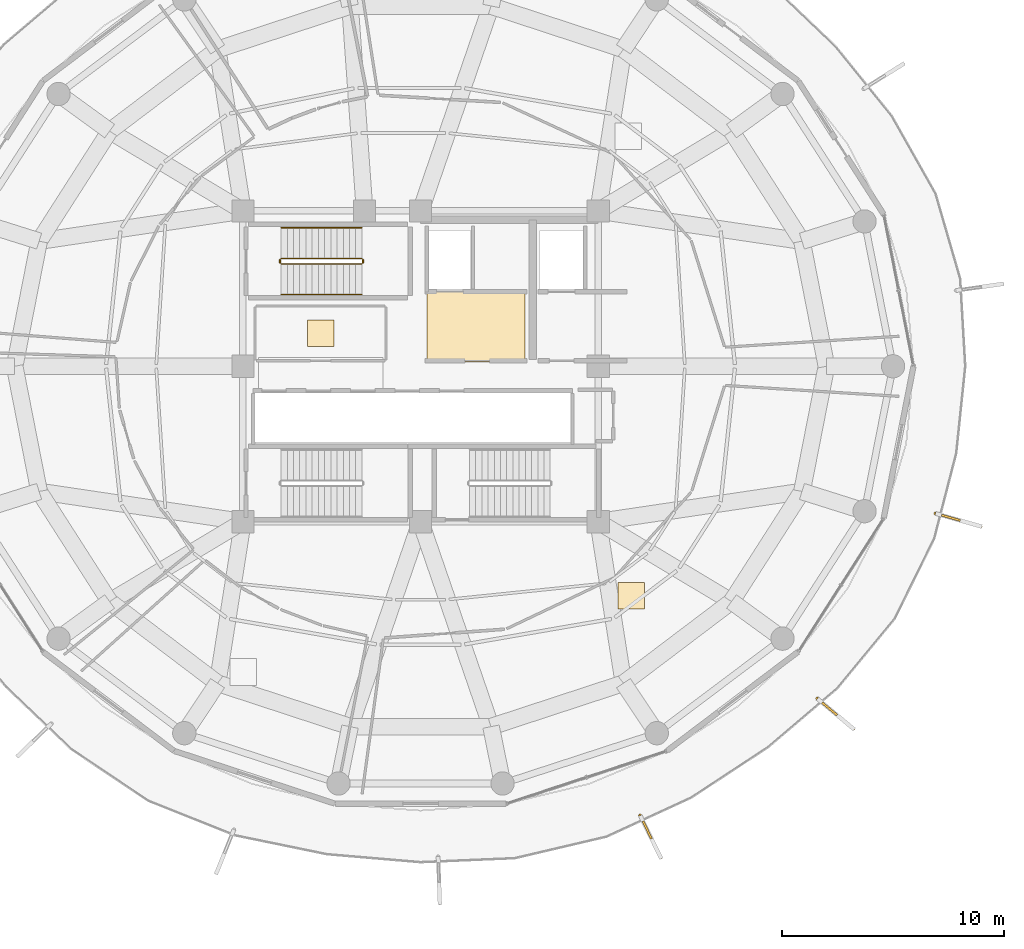
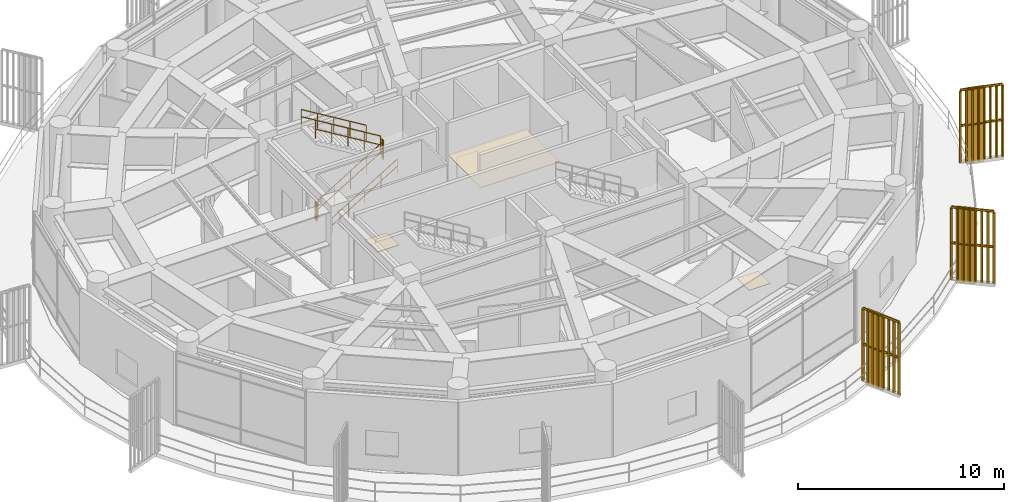
# One storey, part 28 of 29: 9 railings, 3 coverings, 3 shading devices.
"""IFC4 building model written with IfcOpenShell, lengths in metres."""

from ifc_helpers import new_model, si_unit, direction, frame, origin, origin_2d, place, context, subcontext, project, spatial, polyline, rectangle, outline, extrude, source, transform, mapped, material, layer, layer_set, type_object, element, save


model = new_model("IFC4")

# Units and contexts
model_context = context("Model", 3, precision=1e-05, world=origin(), true_north=direction((0.0, 1.0)))
body_context = subcontext(model_context, "Body", "Model", "MODEL_VIEW")
ifc_project = project(units=[si_unit("LENGTHUNIT", "METRE"), si_unit("AREAUNIT", "SQUARE_METRE"), si_unit("VOLUMEUNIT", "CUBIC_METRE"), si_unit("PLANEANGLEUNIT", "RADIAN"), si_unit("MASSUNIT", "GRAM", prefix="KILO")], contexts=[model_context])

# Site, building, storey
site_placement = place(None, origin())
site = spatial("IfcSite", under=ifc_project, at=site_placement, CompositionType="ELEMENT")
building_placement = place(site_placement, origin())
building = spatial("IfcBuilding", under=site, at=building_placement, Name="Kelanora Arch Commons", CompositionType="ELEMENT")
storey_placement = place(building_placement, frame((0.0, 0.0, 238.199951171875)))
storey = spatial("IfcBuildingStorey", under=building, at=storey_placement, Name="L61", CompositionType="ELEMENT", Elevation=238.199951171875)

# Railings
ifc_material_1 = material(Name="Anodised bronze vertical shading fin rib assembly")
railing_type_1 = type_object("IfcRailingType", Name="RAIL-FIN-BRZ", PredefinedType="BALUSTRADE", material=ifc_material_1)
railing_1_placement = place(storey_placement, frame((91.874267578125, 43.031494140625, -0.02001953125)))
element("IfcRailing", 1, at=railing_1_placement, inside=storey, type_object=railing_type_1, Name="Sweeping Bronze Vertical Fin Blade L61-00", PredefinedType="BALUSTRADE", context=body_context, shape_type="SweptSolid", body=[
    extrude(outline(polyline([(0.06982421875, 0.0), (0.034912109375, 0.060546875), (-0.034912109375, 0.060546875), (-0.06982421875, 0.0), (-0.034912109375, -0.060546875), (0.034912109375, -0.060546875), (0.06982421875, 0.0)])), frame((0.0, 0.0, 4.2900390625), z_axis=(0.766662217927, -0.642050655013, 0.0), x_axis=(0.642050655013, 0.766662217927, 0.0)), (0.0, 0.0, 1.0), 2.108154296875),
    extrude(outline(polyline([(0.06982421875, 0.0), (0.034912109375, 0.060546875), (-0.034912109375, 0.060546875), (-0.06982421875, 0.0), (-0.034912109375, -0.060546875), (0.034912109375, -0.060546875), (0.06982421875, 0.0)])), frame((0.0, 0.0, 2.18017578125), z_axis=(0.766662217927, -0.642050655013, 0.0), x_axis=(0.642050655013, 0.766662217927, 0.0)), (0.0, 0.0, 1.0), 2.108154296875),
    extrude(outline(polyline([(0.080078125, 0.0), (0.0400390625, 0.0693359375), (-0.0400390625, 0.0693359375), (-0.080078125, 0.0), (-0.0400390625, -0.0693359375), (0.0400390625, -0.0693359375), (0.080078125, 0.0)])), origin(), (0.0, 0.0, 1.0), 4.22021484375),
    extrude(outline(polyline([(0.080078125, 0.0), (0.0400390625, 0.0693359375), (-0.0400390625, 0.0693359375), (-0.080078125, 0.0), (-0.0400390625, -0.0693359375), (0.0400390625, -0.0693359375), (0.080078125, 0.0)])), frame((0.23095703125, -0.193359375, 0.0)), (0.0, 0.0, 1.0), 4.22021484375),
    extrude(outline(polyline([(0.080078125, 0.0), (0.0400390625, 0.0693359375), (-0.0400390625, 0.0693359375), (-0.080078125, 0.0), (-0.0400390625, -0.0693359375), (0.0400390625, -0.0693359375), (0.080078125, 0.0)])), frame((0.461669921875, -0.38671875, 0.0)), (0.0, 0.0, 1.0), 4.22021484375),
    extrude(outline(polyline([(0.080078125, 0.0), (0.0400390625, 0.0693359375), (-0.0400390625, 0.0693359375), (-0.080078125, 0.0), (-0.0400390625, -0.0693359375), (0.0400390625, -0.0693359375), (0.080078125, 0.0)])), frame((0.692626953125, -0.580078125, 0.0)), (0.0, 0.0, 1.0), 4.22021484375),
    extrude(outline(polyline([(0.080078125, 0.0), (0.0400390625, 0.0693359375), (-0.0400390625, 0.0693359375), (-0.080078125, 0.0), (-0.0400390625, -0.0693359375), (0.0400390625, -0.0693359375), (0.080078125, 0.0)])), frame((0.923583984375, -0.7734375, 0.0)), (0.0, 0.0, 1.0), 4.22021484375),
    extrude(outline(polyline([(0.080078125, 0.0), (0.0400390625, 0.0693359375), (-0.0400390625, 0.0693359375), (-0.080078125, 0.0), (-0.0400390625, -0.0693359375), (0.0400390625, -0.0693359375), (0.080078125, 0.0)])), frame((1.154541015625, -0.966796875, 0.0)), (0.0, 0.0, 1.0), 4.22021484375),
    extrude(outline(polyline([(0.080078125, 0.0), (0.0400390625, 0.0693359375), (-0.0400390625, 0.0693359375), (-0.080078125, 0.0), (-0.0400390625, -0.0693359375), (0.0400390625, -0.0693359375), (0.080078125, 0.0)])), frame((1.38525390625, -1.16015625, 0.0)), (0.0, 0.0, 1.0), 4.22021484375),
    extrude(outline(polyline([(0.080078125, 0.0), (0.0400390625, 0.0693359375), (-0.0400390625, 0.0693359375), (-0.080078125, 0.0), (-0.0400390625, -0.0693359375), (0.0400390625, -0.0693359375), (0.080078125, 0.0)])), frame((1.6162109375, -1.353515625, 0.0)), (0.0, 0.0, 1.0), 4.22021484375),
])
railing_2_placement = place(storey_placement, frame((97.193115234375, 51.3740234375, -0.02001953125)))
element("IfcRailing", 2, at=railing_2_placement, inside=storey, type_object=railing_type_1, Name="Sweeping Bronze Vertical Fin Blade L61-01", PredefinedType="BALUSTRADE", context=body_context, shape_type="SweptSolid", body=[
    extrude(outline(polyline([(0.06982421875, 0.0), (0.034912109375, 0.060546875), (-0.034912109375, 0.060546875), (-0.06982421875, 0.0), (-0.034912109375, -0.060546875), (0.034912109375, -0.060546875), (0.06982421875, 0.0)])), frame((0.0, 0.0, 4.2900390625), z_axis=(0.961523947641, -0.274721127897, 0.0), x_axis=(0.274721127897, 0.961523947641, 0.0)), (0.0, 0.0, 1.0), 2.10791015625),
    extrude(outline(polyline([(0.06982421875, 0.0), (0.034912109375, 0.060546875), (-0.034912109375, 0.060546875), (-0.06982421875, 0.0), (-0.034912109375, -0.060546875), (0.034912109375, -0.060546875), (0.06982421875, 0.0)])), frame((0.0, 0.0, 2.18017578125), z_axis=(0.961523947641, -0.274721127897, 0.0), x_axis=(0.274721127897, 0.961523947641, 0.0)), (0.0, 0.0, 1.0), 2.10791015625),
    extrude(outline(polyline([(0.080078125, 0.0), (0.0400390625, 0.0693359375), (-0.0400390625, 0.0693359375), (-0.080078125, 0.0), (-0.0400390625, -0.0693359375), (0.0400390625, -0.0693359375), (0.080078125, 0.0)])), origin(), (0.0, 0.0, 1.0), 4.22021484375),
    extrude(outline(polyline([(0.080078125, 0.0), (0.0400390625, 0.0693359375), (-0.0400390625, 0.0693359375), (-0.080078125, 0.0), (-0.0400390625, -0.0693359375), (0.0400390625, -0.0693359375), (0.080078125, 0.0)])), frame((0.28955078125, -0.082763671875, 0.0)), (0.0, 0.0, 1.0), 4.22021484375),
    extrude(outline(polyline([(0.080078125, 0.0), (0.0400390625, 0.0693359375), (-0.0400390625, 0.0693359375), (-0.080078125, 0.0), (-0.0400390625, -0.0693359375), (0.0400390625, -0.0693359375), (0.080078125, 0.0)])), frame((0.5791015625, -0.16552734375, 0.0)), (0.0, 0.0, 1.0), 4.22021484375),
    extrude(outline(polyline([(0.080078125, 0.0), (0.0400390625, 0.0693359375), (-0.0400390625, 0.0693359375), (-0.080078125, 0.0), (-0.0400390625, -0.0693359375), (0.0400390625, -0.0693359375), (0.080078125, 0.0)])), frame((0.86865234375, -0.248291015625, 0.0)), (0.0, 0.0, 1.0), 4.22021484375),
    extrude(outline(polyline([(0.080078125, 0.0), (0.0400390625, 0.0693359375), (-0.0400390625, 0.0693359375), (-0.080078125, 0.0), (-0.0400390625, -0.0693359375), (0.0400390625, -0.0693359375), (0.080078125, 0.0)])), frame((1.158203125, -0.330810546875, 0.0)), (0.0, 0.0, 1.0), 4.22021484375),
    extrude(outline(polyline([(0.080078125, 0.0), (0.0400390625, 0.0693359375), (-0.0400390625, 0.0693359375), (-0.080078125, 0.0), (-0.0400390625, -0.0693359375), (0.0400390625, -0.0693359375), (0.080078125, 0.0)])), frame((1.44775390625, -0.41357421875, 0.0)), (0.0, 0.0, 1.0), 4.22021484375),
    extrude(outline(polyline([(0.080078125, 0.0), (0.0400390625, 0.0693359375), (-0.0400390625, 0.0693359375), (-0.080078125, 0.0), (-0.0400390625, -0.0693359375), (0.0400390625, -0.0693359375), (0.080078125, 0.0)])), frame((1.7373046875, -0.496337890625, 0.0)), (0.0, 0.0, 1.0), 4.22021484375),
    extrude(outline(polyline([(0.080078125, 0.0), (0.0400390625, 0.0693359375), (-0.0400390625, 0.0693359375), (-0.080078125, 0.0), (-0.0400390625, -0.0693359375), (0.0400390625, -0.0693359375), (0.080078125, 0.0)])), frame((2.02685546875, -0.5791015625, 0.0)), (0.0, 0.0, 1.0), 4.22021484375),
])
railing_3_placement = place(storey_placement, frame((83.8935546875, 37.765625, -0.02001953125)))
element("IfcRailing", 3, at=railing_3_placement, inside=storey, type_object=railing_type_1, Name="Sweeping Bronze Vertical Fin Blade L61-14", PredefinedType="BALUSTRADE", context=body_context, shape_type="SweptSolid", body=[
    extrude(outline(polyline([(0.06982421875, 0.0), (0.034912109375, 0.060546875), (-0.034912109375, 0.060546875), (-0.06982421875, 0.0), (-0.034912109375, -0.060546875), (0.034912109375, -0.060546875), (0.06982421875, 0.0)])), frame((0.0, 0.0, 4.2900390625), z_axis=(0.439181050385, -0.898398578017, 0.0), x_axis=(0.898398578017, 0.439181050385, 0.0)), (0.0, 0.0, 1.0), 2.10791015625),
    extrude(outline(polyline([(0.06982421875, 0.0), (0.034912109375, 0.060546875), (-0.034912109375, 0.060546875), (-0.06982421875, 0.0), (-0.034912109375, -0.060546875), (0.034912109375, -0.060546875), (0.06982421875, 0.0)])), frame((0.0, 0.0, 2.18017578125), z_axis=(0.439181050385, -0.898398578017, 0.0), x_axis=(0.898398578017, 0.439181050385, 0.0)), (0.0, 0.0, 1.0), 2.10791015625),
    extrude(outline(polyline([(0.080078125, 0.0), (0.0400390625, 0.0693359375), (-0.0400390625, 0.0693359375), (-0.080078125, 0.0), (-0.0400390625, -0.0693359375), (0.0400390625, -0.0693359375), (0.080078125, 0.0)])), origin(), (0.0, 0.0, 1.0), 4.22021484375),
    extrude(outline(polyline([(0.080078125, 0.0), (0.0400390625, 0.0693359375), (-0.0400390625, 0.0693359375), (-0.080078125, 0.0), (-0.0400390625, -0.0693359375), (0.0400390625, -0.0693359375), (0.080078125, 0.0)])), frame((0.13232421875, -0.2705078125, 0.0)), (0.0, 0.0, 1.0), 4.22021484375),
    extrude(outline(polyline([(0.080078125, 0.0), (0.0400390625, 0.0693359375), (-0.0400390625, 0.0693359375), (-0.080078125, 0.0), (-0.0400390625, -0.0693359375), (0.0400390625, -0.0693359375), (0.080078125, 0.0)])), frame((0.264404296875, -0.541015625, 0.0)), (0.0, 0.0, 1.0), 4.22021484375),
    extrude(outline(polyline([(0.080078125, 0.0), (0.0400390625, 0.0693359375), (-0.0400390625, 0.0693359375), (-0.080078125, 0.0), (-0.0400390625, -0.0693359375), (0.0400390625, -0.0693359375), (0.080078125, 0.0)])), frame((0.396728515625, -0.8115234375, 0.0)), (0.0, 0.0, 1.0), 4.22021484375),
    extrude(outline(polyline([(0.080078125, 0.0), (0.0400390625, 0.0693359375), (-0.0400390625, 0.0693359375), (-0.080078125, 0.0), (-0.0400390625, -0.0693359375), (0.0400390625, -0.0693359375), (0.080078125, 0.0)])), frame((0.529052734375, -1.082275390625, 0.0)), (0.0, 0.0, 1.0), 4.22021484375),
    extrude(outline(polyline([(0.080078125, 0.0), (0.0400390625, 0.0693359375), (-0.0400390625, 0.0693359375), (-0.080078125, 0.0), (-0.0400390625, -0.0693359375), (0.0400390625, -0.0693359375), (0.080078125, 0.0)])), frame((0.661376953125, -1.352783203125, 0.0)), (0.0, 0.0, 1.0), 4.22021484375),
    extrude(outline(polyline([(0.080078125, 0.0), (0.0400390625, 0.0693359375), (-0.0400390625, 0.0693359375), (-0.080078125, 0.0), (-0.0400390625, -0.0693359375), (0.0400390625, -0.0693359375), (0.080078125, 0.0)])), frame((0.79345703125, -1.623291015625, 0.0)), (0.0, 0.0, 1.0), 4.22021484375),
    extrude(outline(polyline([(0.080078125, 0.0), (0.0400390625, 0.0693359375), (-0.0400390625, 0.0693359375), (-0.080078125, 0.0), (-0.0400390625, -0.0693359375), (0.0400390625, -0.0693359375), (0.080078125, 0.0)])), frame((0.92578125, -1.893798828125, 0.0)), (0.0, 0.0, 1.0), 4.22021484375),
])
ifc_material_2 = material(Name="Painted steel stair well guard", Category="steel")
railing_type_2 = type_object("IfcRailingType", Name="RAIL-STAIR-GRD", PredefinedType="GUARDRAIL", material=ifc_material_2)
railing_4_placement = place(storey_placement, frame((67.719970703125, 62.610107421875, 0.170166015625)))
element("IfcRailing", 4, at=railing_4_placement, inside=storey, type_object=railing_type_2, Name="L61 ST-T1 stair guard 1", PredefinedType="GUARDRAIL", context=body_context, shape_type="SweptSolid", body=[
    extrude(outline(polyline([(0.02392578125, 0.0), (0.011962890625, 0.020751953125), (-0.011962890625, 0.020751953125), (-0.02392578125, 0.0), (-0.011962890625, -0.020751953125), (0.011962890625, -0.020751953125), (0.02392578125, 0.0)])), frame((0.0, 0.0, 1.076171875), z_axis=(0.854800231366, 0.0, 0.518957189425), x_axis=(0.0, 1.0, 0.0)), (0.0, 0.0, 1.0), 4.258544921875),
    extrude(outline(polyline([(0.02392578125, 0.0), (0.011962890625, 0.020751953125), (-0.011962890625, 0.020751953125), (-0.02392578125, 0.0), (-0.011962890625, -0.020751953125), (0.011962890625, -0.020751953125), (0.02392578125, 0.0)])), frame((0.0, 0.0, 0.550048828125), z_axis=(0.854800231366, 0.0, 0.518957189425), x_axis=(0.0, 1.0, 0.0)), (0.0, 0.0, 1.0), 4.258544921875),
    extrude(outline(polyline([(0.02099609375, 0.0), (0.010498046875, 0.01806640625), (-0.010498046875, 0.01806640625), (-0.02099609375, 0.0), (-0.010498046875, -0.01806640625), (0.010498046875, -0.01806640625), (0.02099609375, 0.0)])), origin(), (0.0, 0.0, 1.0), 1.052001953125),
    extrude(outline(polyline([(0.02099609375, 0.0), (0.010498046875, 0.01806640625), (-0.010498046875, 0.01806640625), (-0.02099609375, 0.0), (-0.010498046875, -0.01806640625), (0.010498046875, -0.01806640625), (0.02099609375, 0.0)])), frame((0.91015625, 0.0, 0.552490234375)), (0.0, 0.0, 1.0), 1.052001953125),
    extrude(outline(polyline([(0.02099609375, 0.0), (0.010498046875, 0.01806640625), (-0.010498046875, 0.01806640625), (-0.02099609375, 0.0), (-0.010498046875, -0.01806640625), (0.010498046875, -0.01806640625), (0.02099609375, 0.0)])), frame((1.820068359375, 0.0, 1.10498046875)), (0.0, 0.0, 1.0), 1.052001953125),
    extrude(outline(polyline([(0.02099609375, 0.0), (0.010498046875, 0.01806640625), (-0.010498046875, 0.01806640625), (-0.02099609375, 0.0), (-0.010498046875, -0.01806640625), (0.010498046875, -0.01806640625), (0.02099609375, 0.0)])), frame((2.72998046875, 0.0, 1.657470703125)), (0.0, 0.0, 1.0), 1.052001953125),
    extrude(outline(polyline([(0.02099609375, 0.0), (0.010498046875, 0.01806640625), (-0.010498046875, 0.01806640625), (-0.02099609375, 0.0), (-0.010498046875, -0.01806640625), (0.010498046875, -0.01806640625), (0.02099609375, 0.0)])), frame((3.64013671875, 0.0, 2.2099609375)), (0.0, 0.0, 1.0), 1.052001953125),
])
railing_5_placement = place(storey_placement, frame((71.409912109375, 62.659912109375, 2.380126953125)))
element("IfcRailing", 5, at=railing_5_placement, inside=storey, type_object=railing_type_2, Name="L61 ST-T1 stair guard 2", PredefinedType="GUARDRAIL", context=body_context, shape_type="SweptSolid", body=[
    extrude(outline(polyline([(0.02392578125, 0.0), (0.011962890625, 0.020751953125), (-0.011962890625, 0.020751953125), (-0.02392578125, 0.0), (-0.011962890625, -0.020751953125), (0.011962890625, -0.020751953125), (0.02392578125, 0.0)])), frame((0.0, 0.0, 1.076171875), z_axis=(0.0, 1.0, 0.0), x_axis=(-1.0, 0.0, 0.0)), (0.0, 0.0, 1.0), 0.150146484375),
    extrude(outline(polyline([(0.02392578125, 0.0), (0.011962890625, 0.020751953125), (-0.011962890625, 0.020751953125), (-0.02392578125, 0.0), (-0.011962890625, -0.020751953125), (0.011962890625, -0.020751953125), (0.02392578125, 0.0)])), frame((0.0, 0.0, 0.550048828125), z_axis=(0.0, 1.0, 0.0), x_axis=(-1.0, 0.0, 0.0)), (0.0, 0.0, 1.0), 0.150146484375),
    extrude(outline(polyline([(0.02099609375, 0.0), (0.010498046875, 0.01806640625), (-0.010498046875, 0.01806640625), (-0.02099609375, 0.0), (-0.010498046875, -0.01806640625), (0.010498046875, -0.01806640625), (0.02099609375, 0.0)])), origin(), (0.0, 0.0, 1.0), 1.052001953125),
    extrude(outline(polyline([(0.02099609375, 0.0), (0.010498046875, 0.01806640625), (-0.010498046875, 0.01806640625), (-0.02099609375, 0.0), (-0.010498046875, -0.01806640625), (0.010498046875, -0.01806640625), (0.02099609375, 0.0)])), frame((0.0, 0.150146484375, 0.0)), (0.0, 0.0, 1.0), 1.052001953125),
])
railing_6_placement = place(storey_placement, frame((71.360107421875, 62.860107421875, 2.550048828125)))
element("IfcRailing", 6, at=railing_6_placement, inside=storey, type_object=railing_type_2, Name="L61 ST-T1 stair guard 3", PredefinedType="GUARDRAIL", context=body_context, shape_type="SweptSolid", body=[
    extrude(outline(polyline([(0.02392578125, 0.0), (0.011962890625, 0.020751953125), (-0.011962890625, 0.020751953125), (-0.02392578125, 0.0), (-0.011962890625, -0.020751953125), (0.011962890625, -0.020751953125), (0.02392578125, 0.0)])), frame((0.0, 0.0, 1.076171875), z_axis=(-0.854800231366, 0.0, 0.518957189425), x_axis=(0.0, -1.0, 0.0)), (0.0, 0.0, 1.0), 4.258544921875),
    extrude(outline(polyline([(0.02392578125, 0.0), (0.011962890625, 0.020751953125), (-0.011962890625, 0.020751953125), (-0.02392578125, 0.0), (-0.011962890625, -0.020751953125), (0.011962890625, -0.020751953125), (0.02392578125, 0.0)])), frame((0.0, 0.0, 0.550048828125), z_axis=(-0.854800231366, 0.0, 0.518957189425), x_axis=(0.0, -1.0, 0.0)), (0.0, 0.0, 1.0), 4.258544921875),
    extrude(outline(polyline([(0.02099609375, 0.0), (0.010498046875, 0.01806640625), (-0.010498046875, 0.01806640625), (-0.02099609375, 0.0), (-0.010498046875, -0.01806640625), (0.010498046875, -0.01806640625), (0.02099609375, 0.0)])), origin(), (0.0, 0.0, 1.0), 1.052001953125),
    extrude(outline(polyline([(0.02099609375, 0.0), (0.010498046875, 0.01806640625), (-0.010498046875, 0.01806640625), (-0.02099609375, 0.0), (-0.010498046875, -0.01806640625), (0.010498046875, -0.01806640625), (0.02099609375, 0.0)])), frame((-0.91015625, 0.0, 0.552490234375)), (0.0, 0.0, 1.0), 1.052001953125),
    extrude(outline(polyline([(0.02099609375, 0.0), (0.010498046875, 0.01806640625), (-0.010498046875, 0.01806640625), (-0.02099609375, 0.0), (-0.010498046875, -0.01806640625), (0.010498046875, -0.01806640625), (0.02099609375, 0.0)])), frame((-1.820068359375, 0.0, 1.10498046875)), (0.0, 0.0, 1.0), 1.052001953125),
    extrude(outline(polyline([(0.02099609375, 0.0), (0.010498046875, 0.01806640625), (-0.010498046875, 0.01806640625), (-0.02099609375, 0.0), (-0.010498046875, -0.01806640625), (0.010498046875, -0.01806640625), (0.02099609375, 0.0)])), frame((-2.72998046875, 0.0, 1.657470703125)), (0.0, 0.0, 1.0), 1.052001953125),
    extrude(outline(polyline([(0.02099609375, 0.0), (0.010498046875, 0.01806640625), (-0.010498046875, 0.01806640625), (-0.02099609375, 0.0), (-0.010498046875, -0.01806640625), (0.010498046875, -0.01806640625), (0.02099609375, 0.0)])), frame((-3.64013671875, 0.0, 2.2099609375)), (0.0, 0.0, 1.0), 1.052001953125),
])
railing_7_placement = place(storey_placement, frame((67.669921875, 62.659912109375, 0.0)))
element("IfcRailing", 7, at=railing_7_placement, inside=storey, type_object=railing_type_2, Name="L61 ST-T1 stair guard 4", PredefinedType="GUARDRAIL", context=body_context, shape_type="SweptSolid", body=[
    extrude(outline(polyline([(0.02392578125, 0.0), (0.011962890625, 0.020751953125), (-0.011962890625, 0.020751953125), (-0.02392578125, 0.0), (-0.011962890625, -0.020751953125), (0.011962890625, -0.020751953125), (0.02392578125, 0.0)])), frame((0.0, 0.0, 1.076171875), z_axis=(0.0, 1.0, 0.0), x_axis=(-1.0, 0.0, 0.0)), (0.0, 0.0, 1.0), 0.150146484375),
    extrude(outline(polyline([(0.02392578125, 0.0), (0.011962890625, 0.020751953125), (-0.011962890625, 0.020751953125), (-0.02392578125, 0.0), (-0.011962890625, -0.020751953125), (0.011962890625, -0.020751953125), (0.02392578125, 0.0)])), frame((0.0, 0.0, 0.550048828125), z_axis=(0.0, 1.0, 0.0), x_axis=(-1.0, 0.0, 0.0)), (0.0, 0.0, 1.0), 0.150146484375),
    extrude(outline(polyline([(0.02099609375, 0.0), (0.010498046875, 0.01806640625), (-0.010498046875, 0.01806640625), (-0.02099609375, 0.0), (-0.010498046875, -0.01806640625), (0.010498046875, -0.01806640625), (0.02099609375, 0.0)])), origin(), (0.0, 0.0, 1.0), 1.052001953125),
    extrude(outline(polyline([(0.02099609375, 0.0), (0.010498046875, 0.01806640625), (-0.010498046875, 0.01806640625), (-0.02099609375, 0.0), (-0.010498046875, -0.01806640625), (0.010498046875, -0.01806640625), (0.02099609375, 0.0)])), frame((0.0, 0.150146484375, 0.0)), (0.0, 0.0, 1.0), 1.052001953125),
])
ifc_material_3 = material(Name="Brushed stainless steel stair handrail", Category="steel")
railing_type_3 = type_object("IfcRailingType", Name="RAIL-STAIR-HND", PredefinedType="HANDRAIL", material=ifc_material_3)
railing_8_placement = place(storey_placement, frame((67.719970703125, 61.22998046875, 0.170166015625)))
element("IfcRailing", 8, at=railing_8_placement, inside=storey, type_object=railing_type_3, Name="L61 ST-T1 stair handrail 1", PredefinedType="HANDRAIL", context=body_context, shape_type="SweptSolid", body=[
    extrude(outline(polyline([(0.02392578125, 0.0), (0.011962890625, 0.020751953125), (-0.011962890625, 0.020751953125), (-0.02392578125, 0.0), (-0.011962890625, -0.020751953125), (0.011962890625, -0.020751953125), (0.02392578125, 0.0)])), frame((0.0, 0.0, 0.8759765625), z_axis=(0.854800231366, 0.0, 0.518957189425), x_axis=(0.0, 1.0, 0.0)), (0.0, 0.0, 1.0), 4.258544921875),
    extrude(outline(polyline([(0.02392578125, 0.0), (0.011962890625, 0.020751953125), (-0.011962890625, 0.020751953125), (-0.02392578125, 0.0), (-0.011962890625, -0.020751953125), (0.011962890625, -0.020751953125), (0.02392578125, 0.0)])), frame((0.0, 0.0, 0.449951171875), z_axis=(0.854800231366, 0.0, 0.518957189425), x_axis=(0.0, 1.0, 0.0)), (0.0, 0.0, 1.0), 4.258544921875),
    extrude(outline(polyline([(0.02099609375, 0.0), (0.010498046875, 0.01806640625), (-0.010498046875, 0.01806640625), (-0.02099609375, 0.0), (-0.010498046875, -0.01806640625), (0.010498046875, -0.01806640625), (0.02099609375, 0.0)])), origin(), (0.0, 0.0, 1.0), 0.851806640625),
    extrude(outline(polyline([(0.02099609375, 0.0), (0.010498046875, 0.01806640625), (-0.010498046875, 0.01806640625), (-0.02099609375, 0.0), (-0.010498046875, -0.01806640625), (0.010498046875, -0.01806640625), (0.02099609375, 0.0)])), frame((0.91015625, 0.0, 0.552490234375)), (0.0, 0.0, 1.0), 0.851806640625),
    extrude(outline(polyline([(0.02099609375, 0.0), (0.010498046875, 0.01806640625), (-0.010498046875, 0.01806640625), (-0.02099609375, 0.0), (-0.010498046875, -0.01806640625), (0.010498046875, -0.01806640625), (0.02099609375, 0.0)])), frame((1.820068359375, 0.0, 1.10498046875)), (0.0, 0.0, 1.0), 0.851806640625),
    extrude(outline(polyline([(0.02099609375, 0.0), (0.010498046875, 0.01806640625), (-0.010498046875, 0.01806640625), (-0.02099609375, 0.0), (-0.010498046875, -0.01806640625), (0.010498046875, -0.01806640625), (0.02099609375, 0.0)])), frame((2.72998046875, 0.0, 1.657470703125)), (0.0, 0.0, 1.0), 0.851806640625),
    extrude(outline(polyline([(0.02099609375, 0.0), (0.010498046875, 0.01806640625), (-0.010498046875, 0.01806640625), (-0.02099609375, 0.0), (-0.010498046875, -0.01806640625), (0.010498046875, -0.01806640625), (0.02099609375, 0.0)])), frame((3.64013671875, 0.0, 2.2099609375)), (0.0, 0.0, 1.0), 0.851806640625),
])
railing_9_placement = place(storey_placement, frame((71.360107421875, 64.239990234375, 2.550048828125)))
element("IfcRailing", 9, at=railing_9_placement, inside=storey, type_object=railing_type_3, Name="L61 ST-T1 stair handrail 2", PredefinedType="HANDRAIL", context=body_context, shape_type="SweptSolid", body=[
    extrude(outline(polyline([(0.02392578125, 0.0), (0.011962890625, 0.020751953125), (-0.011962890625, 0.020751953125), (-0.02392578125, 0.0), (-0.011962890625, -0.020751953125), (0.011962890625, -0.020751953125), (0.02392578125, 0.0)])), frame((0.0, 0.0, 0.8759765625), z_axis=(-0.854800231366, 0.0, 0.518957189425), x_axis=(0.0, -1.0, 0.0)), (0.0, 0.0, 1.0), 4.258544921875),
    extrude(outline(polyline([(0.02392578125, 0.0), (0.011962890625, 0.020751953125), (-0.011962890625, 0.020751953125), (-0.02392578125, 0.0), (-0.011962890625, -0.020751953125), (0.011962890625, -0.020751953125), (0.02392578125, 0.0)])), frame((0.0, 0.0, 0.449951171875), z_axis=(-0.854800231366, 0.0, 0.518957189425), x_axis=(0.0, -1.0, 0.0)), (0.0, 0.0, 1.0), 4.258544921875),
    extrude(outline(polyline([(0.02099609375, 0.0), (0.010498046875, 0.01806640625), (-0.010498046875, 0.01806640625), (-0.02099609375, 0.0), (-0.010498046875, -0.01806640625), (0.010498046875, -0.01806640625), (0.02099609375, 0.0)])), origin(), (0.0, 0.0, 1.0), 0.851806640625),
    extrude(outline(polyline([(0.02099609375, 0.0), (0.010498046875, 0.01806640625), (-0.010498046875, 0.01806640625), (-0.02099609375, 0.0), (-0.010498046875, -0.01806640625), (0.010498046875, -0.01806640625), (0.02099609375, 0.0)])), frame((-0.91015625, 0.0, 0.552490234375)), (0.0, 0.0, 1.0), 0.851806640625),
    extrude(outline(polyline([(0.02099609375, 0.0), (0.010498046875, 0.01806640625), (-0.010498046875, 0.01806640625), (-0.02099609375, 0.0), (-0.010498046875, -0.01806640625), (0.010498046875, -0.01806640625), (0.02099609375, 0.0)])), frame((-1.820068359375, 0.0, 1.10498046875)), (0.0, 0.0, 1.0), 0.851806640625),
    extrude(outline(polyline([(0.02099609375, 0.0), (0.010498046875, 0.01806640625), (-0.010498046875, 0.01806640625), (-0.02099609375, 0.0), (-0.010498046875, -0.01806640625), (0.010498046875, -0.01806640625), (0.02099609375, 0.0)])), frame((-2.72998046875, 0.0, 1.657470703125)), (0.0, 0.0, 1.0), 0.851806640625),
    extrude(outline(polyline([(0.02099609375, 0.0), (0.010498046875, 0.01806640625), (-0.010498046875, 0.01806640625), (-0.02099609375, 0.0), (-0.010498046875, -0.01806640625), (0.010498046875, -0.01806640625), (0.02099609375, 0.0)])), frame((-3.64013671875, 0.0, 2.2099609375)), (0.0, 0.0, 1.0), 0.851806640625),
])

# Shading devices
ifc_material_4 = material(Name="Terracotta ceramic-clad extruded aluminium fin", Category="masonry")
shading_device_type = type_object("IfcShadingDeviceType", Name="SHD-FIN-FLARE", PredefinedType="USERDEFINED", material=ifc_material_4)
shared_shape_1 = source(origin(), body_context, "Body", "SweptSolid", [
    extrude(rectangle(XDim=0.8798828125, YDim=0.090087890625, at=origin_2d()), origin(), (0.0, 0.0, 1.0), 4.47998046875),
])
for number, where, z_axis, x_axis, name in (
    (10, (92.42626953125, 42.569091796875, -0.139892578125), (0.0, 0.0, 1.0), (0.766717148576, -0.641985057521, 0.0), "Sweeping Terracotta Fin L61-00"),
    (11, (97.88525390625, 51.17626953125, -0.139892578125), (0.0, 0.0, 1.0), (0.961549815579, -0.274630573972, 0.0), "Sweeping Terracotta Fin L61-01"),
    (12, (84.209716796875, 37.118896484375, -0.139892578125), (0.0, 0.0, 1.0), (0.439312121178, -0.898334492373, 0.0), "Sweeping Terracotta Fin L61-14"),
):
    element("IfcShadingDevice", number, at=place(storey_placement, frame(where, z_axis=z_axis, x_axis=x_axis)), inside=storey, type_object=shading_device_type, Name=name, ObjectType="FIN", PredefinedType="USERDEFINED", context=body_context, shape_type="MappedRepresentation", body=[
        mapped(shared_shape_1, transform((0.0, 0.0, 0.0), scale=1.0)),
    ])

# Coverings
ifc_material_5 = material(Name="Polished local granite terrazzo flooring", Category="masonry")
ifc_layer_1 = layer(ifc_material_5, 0.030029296875)
ifc_layer_set_1 = layer_set([ifc_layer_1], Name="Polished local granite terrazzo flooring")
covering_type_1 = type_object("IfcCoveringType", Name="COV-FLR-TER", PredefinedType="FLOORING", material=ifc_layer_set_1)
shared_shape_2 = source(origin(), body_context, "Body", "SweptSolid", [
    extrude(rectangle(XDim=1.199951171875, YDim=1.199951171875, at=origin_2d()), origin(), (0.0, 0.0, 1.0), 0.030029296875),
])
for number, where, z_axis, x_axis, name in (
    (13, (69.5, 59.485107421875, 0.0), (0.0, 0.0, 1.0), (1.0, 0.0, 0.0), "Reclaimed Core Study Pod Lounge L61 Terrazzo Finish"),
    (14, (83.48388671875, 47.66552734375, 0.0), (0.0, 0.0, 1.0), (1.0, 0.0, 0.0), "Acoustic Music and Cinema Suite L61 Terrazzo Finish"),
):
    element("IfcCovering", number, at=place(storey_placement, frame(where, z_axis=z_axis, x_axis=x_axis)), inside=storey, type_object=covering_type_1, Name=name, PredefinedType="FLOORING", context=body_context, shape_type="MappedRepresentation", body=[
        mapped(shared_shape_2, transform((0.0, 0.0, 0.0), scale=1.0)),
    ])
ifc_material_6 = material(Name="Perforated acoustic mineral-fibre ceiling")
ifc_layer_2 = layer(ifc_material_6, 0.0400390625)
ifc_layer_set_2 = layer_set([ifc_layer_2], Name="Perforated acoustic mineral-fibre ceiling")
covering_type_2 = type_object("IfcCoveringType", Name="COV-CEIL-AC", PredefinedType="CEILING", material=ifc_layer_set_2)
shared_shape_3 = source(origin(), body_context, "Body", "SweptSolid", [
    extrude(rectangle(XDim=4.39990234375, YDim=3.199951171875, at=origin_2d()), origin(), (0.0, 0.0, 1.0), 0.0400390625),
])
covering_placement = place(storey_placement, frame((76.5, 59.800048828125, 2.330078125), z_axis=(0.0, 0.0, 1.0), x_axis=(1.0, 0.0, 0.0)))
element("IfcCovering", 15, at=covering_placement, inside=storey, type_object=covering_type_2, Name="Firefighting Lobby Acoustic Ceiling L61", PredefinedType="CEILING", context=body_context, shape_type="MappedRepresentation", body=[
    mapped(shared_shape_3, transform((0.0, 0.0, 0.0), scale=1.0)),
])

save(model, "model.ifc")
